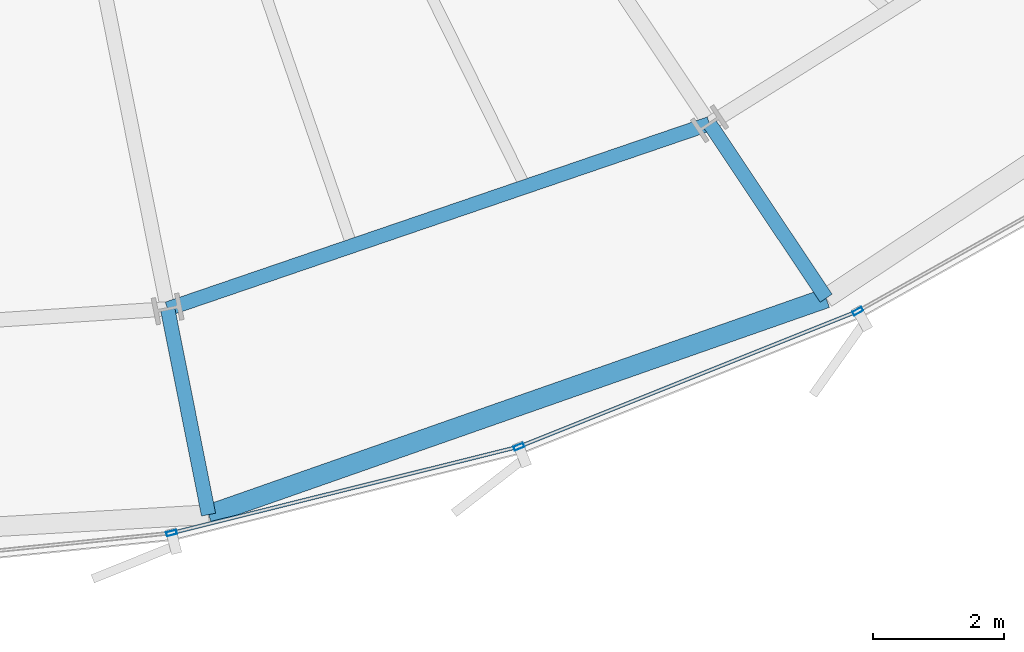
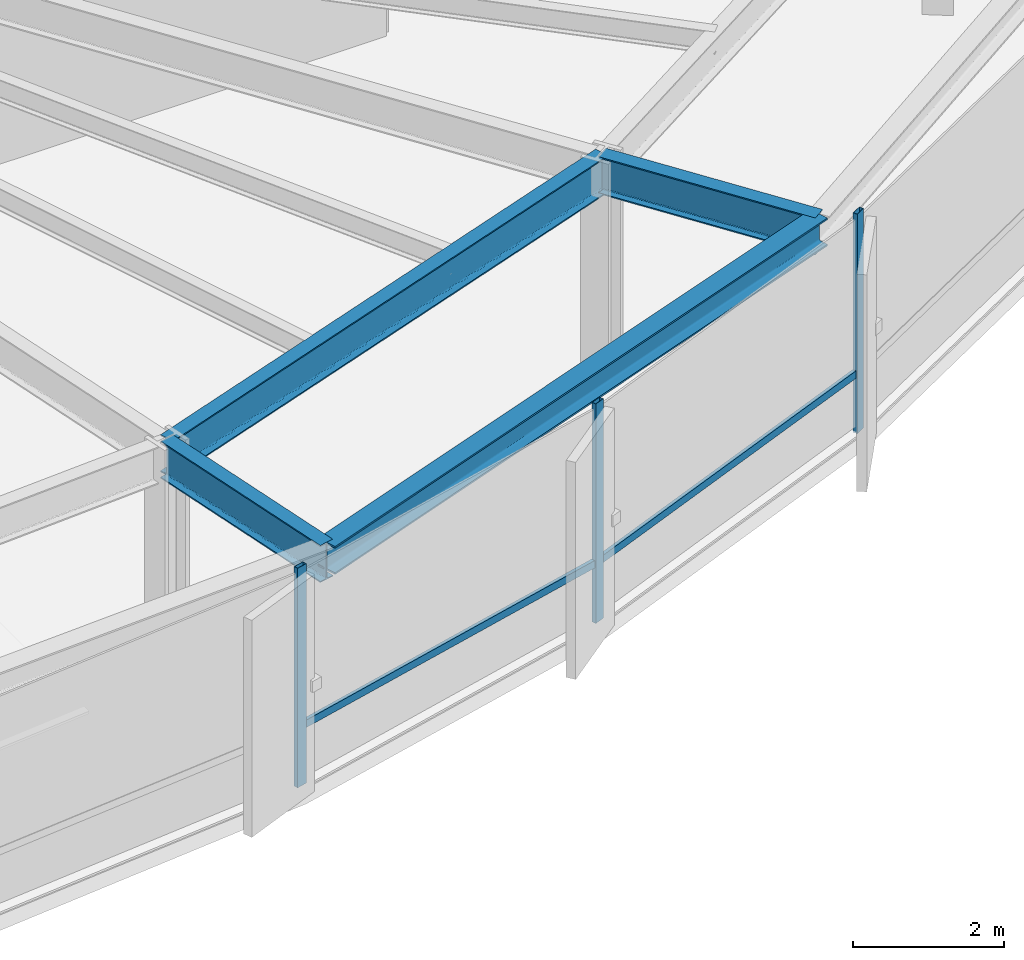
# One storey, part 10 of 35: 5 members, 4 beams, 1 element without a shape of its own.
"""IFC4 building model written with IfcOpenShell, lengths in metres."""

from ifc_helpers import new_model, si_unit, direction, frame, origin, origin_2d, place, context, subcontext, project, spatial, hollow_rectangle, i_section, extrude, source, transform, mapped, material, layer, layer_set, material_profile, profile_set, type_object, element, aggregate, save


model = new_model("IFC4")

# Units and contexts
model_context = context("Model", 3, precision=1e-05, world=origin(), true_north=direction((0.0, 1.0)))
body_context = subcontext(model_context, "Body", "Model", "MODEL_VIEW")
ifc_project = project(units=[si_unit("LENGTHUNIT", "METRE"), si_unit("AREAUNIT", "SQUARE_METRE"), si_unit("VOLUMEUNIT", "CUBIC_METRE"), si_unit("PLANEANGLEUNIT", "RADIAN"), si_unit("MASSUNIT", "GRAM", prefix="KILO"), si_unit("THERMODYNAMICTEMPERATUREUNIT", "KELVIN")], contexts=[model_context])

# Site, building, storey
site_placement = place(None, origin())
site = spatial("IfcSite", under=ifc_project, at=site_placement, CompositionType="ELEMENT")
building_placement = place(site_placement, origin())
building = spatial("IfcBuilding", under=site, at=building_placement, Name="Kethvar Cultural Tower", CompositionType="ELEMENT")
storey_placement = place(building_placement, frame((0.0, 0.0, 71.39990234375)))
storey = spatial("IfcBuildingStorey", under=building, at=storey_placement, Name="L17", CompositionType="ELEMENT", Elevation=71.39990234375)

# Beams
ifc_material_1 = material(Name="Steel S355J2", Category="steel")
ifc_material_profile_1 = material_profile(ifc_material_1, i_section(OverallWidth=0.219970703125, OverallDepth=0.60009765625, WebThickness=0.011962890625, FlangeThickness=0.01904296875, FilletRadius=0.02392578125, at=origin_2d()), Name="Steel S355J2 — IPE600")
ifc_profile_set_1 = profile_set([ifc_material_profile_1], Name="Steel S355J2 — IPE600")
beam_type_1 = type_object("IfcBeamType", Name="BM-IPE600", PredefinedType="BEAM", material=ifc_profile_set_1)
shared_shape_1 = source(origin(), body_context, "Body", "SweptSolid", [
    extrude(i_section(OverallWidth=0.219970703125, OverallDepth=0.60009765625, WebThickness=0.011962890625, FlangeThickness=0.01904296875, FilletRadius=0.02392578125, at=origin_2d()), origin(), (0.0, 0.0, 1.0), 3.199951171875),
])
for number, where, z_axis, x_axis, name in (
    (1, (51.10400390625, 6.16259765625, 3.238037109375), (0.195088965533, -0.980785550224, 0.0), (0.980785550224, 0.195088965533, 0.0), "L17 Perimeter Cantilever Beam RC-13"),
    (2, (59.370361328125, 8.987060546875, 3.238037109375), (0.555580212716, -0.831462943996, 0.0), (0.831462943996, 0.555580212716, 0.0), "L17 Perimeter Cantilever Beam RC-14"),
):
    element("IfcBeam", number, at=place(storey_placement, frame(where, z_axis=z_axis, x_axis=x_axis)), inside=storey, type_object=beam_type_1, Name=name, PredefinedType="BEAM", context=body_context, shape_type="MappedRepresentation", body=[
        mapped(shared_shape_1, transform((0.0, 0.0, 0.0), scale=1.0)),
    ])
shared_shape_2 = source(origin(), body_context, "Body", "SweptSolid", [
    extrude(i_section(OverallWidth=0.219970703125, OverallDepth=0.60009765625, WebThickness=0.011962890625, FlangeThickness=0.01904296875, FilletRadius=0.02392578125, at=origin_2d()), origin(), (0.0, 0.0, 1.0), 8.735595703125),
])
beam_1_placement = place(storey_placement, frame((51.10400390625, 6.16259765625, 3.238037109375), z_axis=(0.946286676119, 0.323328821171, 0.0), x_axis=(-0.323328821171, 0.946286676119, 0.0)))
element("IfcBeam", 3, at=beam_1_placement, inside=storey, type_object=beam_type_1, Name="L17 Column Ring Tie Beam CR-13", PredefinedType="BEAM", context=body_context, shape_type="MappedRepresentation", body=[
    mapped(shared_shape_2, transform((0.0, 0.0, 0.0), scale=1.0)),
])
ifc_material_profile_2 = material_profile(ifc_material_1, i_section(OverallWidth=0.300048828125, OverallDepth=0.449951171875, WebThickness=0.013916015625, FlangeThickness=0.02587890625, FilletRadius=0.027099609375, at=origin_2d()), Name="Steel S355J2 — HEB450")
ifc_profile_set_2 = profile_set([ifc_material_profile_2], Name="Steel S355J2 — HEB450")
beam_type_2 = type_object("IfcBeamType", Name="BM-SP450", PredefinedType="SPANDREL", material=ifc_profile_set_2)
shared_shape_3 = source(origin(), body_context, "Body", "SweptSolid", [
    extrude(i_section(OverallWidth=0.300048828125, OverallDepth=0.449951171875, WebThickness=0.013916015625, FlangeThickness=0.02587890625, FilletRadius=0.027099609375, at=origin_2d()), origin(), (0.0, 0.0, 1.0), 9.98193359375),
])
beam_2_placement = place(storey_placement, frame((51.728271484375, 3.024169921875, 3.31298828125), z_axis=(0.943693514159, 0.330821026138, 0.0), x_axis=(-0.330821026138, 0.943693514159, 0.0)))
element("IfcBeam", 4, at=beam_2_placement, inside=storey, type_object=beam_type_2, Name="L17 Perimeter Spandrel Beam SP-13", PredefinedType="SPANDREL", context=body_context, shape_type="MappedRepresentation", body=[
    mapped(shared_shape_3, transform((0.0, 0.0, 0.0), scale=1.0)),
])

# Curtain wall, members
ifc_material_2 = material(Name="Aluminium 6063-T6", Category="aluminium")
ifc_layer = layer(ifc_material_2, 0.179931640625, Name="Aluminium 6063-T6", Category="aluminium")
ifc_layer_set = layer_set([ifc_layer], Name="Aluminium 6063-T6 (180 mm)")
curtain_wall_type = type_object("IfcCurtainWallType", Name="CW-SYS-02-Z1", PredefinedType="NOTDEFINED", material=ifc_layer_set)
curtain_wall_placement = place(storey_placement, origin())
curtain_wall = element("IfcCurtainWall", 5, at=curtain_wall_placement, inside=storey, type_object=curtain_wall_type, Name="L17 Curtain Wall Run 05", PredefinedType="NOTDEFINED")
ifc_material_profile_3 = material_profile(ifc_material_2, hollow_rectangle(XDim=0.054931640625, YDim=0.1201171875, WallThickness=0.00390625, at=origin_2d()), Name="Aluminium 6063-T6 — RHS120x55x4")
ifc_profile_set_3 = profile_set([ifc_material_profile_3], Name="Aluminium 6063-T6 — RHS120x55x4")
member_type_1 = type_object("IfcMemberType", Name="CW-SYS-02-Z1-TRN", PredefinedType="USERDEFINED", material=ifc_profile_set_3)
shared_shape_4 = source(origin(), body_context, "Body", "SweptSolid", [
    extrude(hollow_rectangle(XDim=0.054931640625, YDim=0.1201171875, WallThickness=0.00390625, at=origin_2d()), origin(), (0.0, 0.0, 1.0), 5.38134765625),
])
member_1_placement = place(storey_placement, frame((51.2099609375, 2.754638671875, 0.9501953125), z_axis=(0.970424724014, 0.241403925034, 0.0), x_axis=(-0.241403925034, 0.970424724014, 0.0)))
member_1 = element("IfcMember", 6, at=member_1_placement, type_object=member_type_1, Name="CW-L17-R05 Transom 4", ObjectType="TRANSOM", PredefinedType="USERDEFINED", context=body_context, shape_type="MappedRepresentation", body=[
    mapped(shared_shape_4, transform((0.0, 0.0, 0.0), scale=1.0)),
])
ifc_material_profile_4 = material_profile(ifc_material_2, hollow_rectangle(XDim=0.06494140625, YDim=0.159912109375, WallThickness=0.0048828125, at=origin_2d()), Name="Aluminium 6063-T6 — RHS160x65x5")
ifc_profile_set_4 = profile_set([ifc_material_profile_4], Name="Aluminium 6063-T6 — RHS160x65x5")
member_type_2 = type_object("IfcMemberType", Name="CW-SYS-02-Z1-MUL", PredefinedType="MULLION", material=ifc_profile_set_4)
shared_shape_5 = source(origin(), body_context, "Body", "SweptSolid", [
    extrude(hollow_rectangle(XDim=0.06494140625, YDim=0.159912109375, WallThickness=0.0048828125, at=origin_2d()), origin(), (0.0, 0.0, 1.0), 3.5400390625),
])
member_2_placement = place(storey_placement, frame((51.164306640625, 2.743408203125, 0.0), z_axis=(0.0, 0.0, 1.0), x_axis=(-0.241346067964, 0.970439114771, 0.0)))
member_2 = element("IfcMember", 7, at=member_2_placement, type_object=member_type_2, Name="CW-L17-R05 Mullion 4", PredefinedType="MULLION", context=body_context, shape_type="MappedRepresentation", body=[
    mapped(shared_shape_5, transform((0.0, 0.0, 0.0), scale=1.0)),
])
member_3_placement = place(storey_placement, frame((56.4619140625, 4.059814453125, 0.0), z_axis=(0.0, 0.0, 1.0), x_axis=(-0.371610899842, 0.928388571191, 0.0)))
member_3 = element("IfcMember", 8, at=member_3_placement, type_object=member_type_2, Name="CW-L17-R05 Mullion 5", PredefinedType="MULLION", context=body_context, shape_type="MappedRepresentation", body=[
    mapped(shared_shape_5, transform((0.0, 0.0, 0.0), scale=1.0)),
])
member_4_placement = place(storey_placement, frame((61.631591796875, 6.1279296875, 0.0), z_axis=(0.0, 0.0, 1.0), x_axis=(-0.489580305392, 0.87195821263, 0.0)))
member_4 = element("IfcMember", 9, at=member_4_placement, type_object=member_type_2, Name="CW-L17-R05 Mullion 6", PredefinedType="MULLION", context=body_context, shape_type="MappedRepresentation", body=[
    mapped(shared_shape_5, transform((0.0, 0.0, 0.0), scale=1.0)),
])
shared_shape_6 = source(origin(), body_context, "Body", "SweptSolid", [
    extrude(hollow_rectangle(XDim=0.054931640625, YDim=0.1201171875, WallThickness=0.00390625, at=origin_2d()), origin(), (0.0, 0.0, 1.0), 5.490234375),
])
member_5_placement = place(storey_placement, frame((56.50537109375, 4.0771484375, 0.9501953125), z_axis=(0.928381588575, 0.371628343906, 0.0), x_axis=(-0.371628343906, 0.928381588575, 0.0)))
member_5 = element("IfcMember", 10, at=member_5_placement, type_object=member_type_1, Name="CW-L17-R05 Transom 5", ObjectType="TRANSOM", PredefinedType="USERDEFINED", context=body_context, shape_type="MappedRepresentation", body=[
    mapped(shared_shape_6, transform((0.0, 0.0, 0.0), scale=1.0)),
])
aggregate(curtain_wall, [member_2, member_3, member_4, member_1, member_5])

save(model, "model.ifc")
